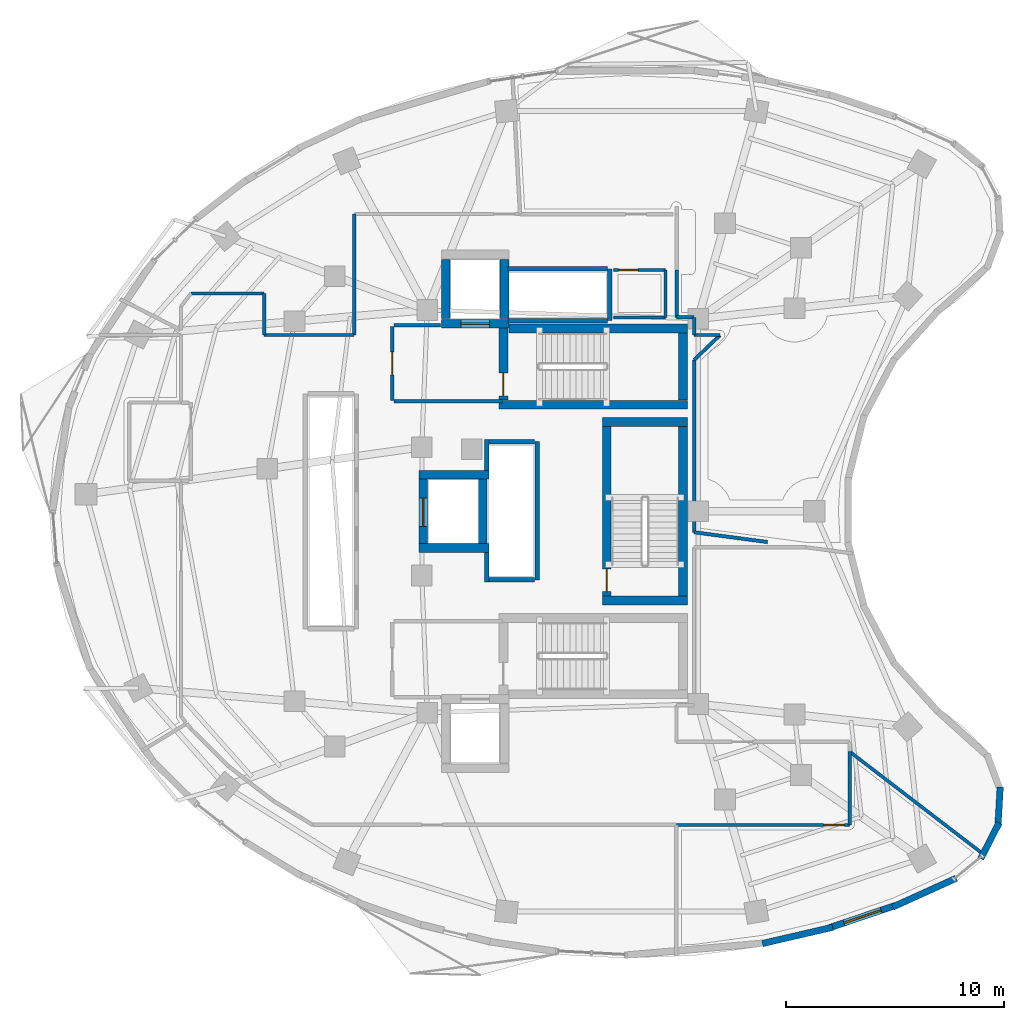
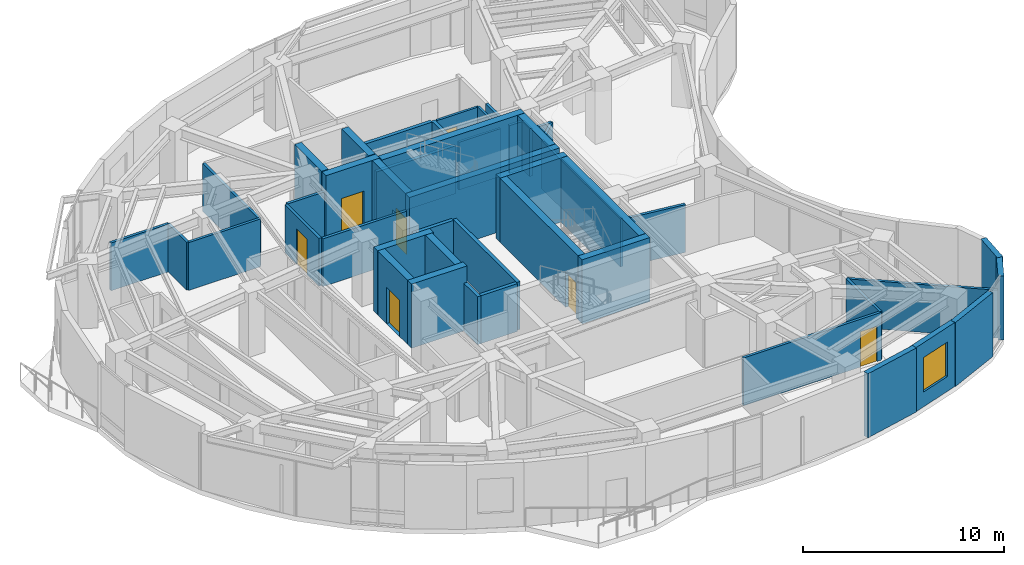
# One storey, part 8 of 12: 48 walls, 7 doors, 1 window, 8 openings.
"""IFC4 building model written with IfcOpenShell, lengths in metres."""

from ifc_helpers import new_model, si_unit, direction, frame, frame_2d, origin, place, context, subcontext, project, spatial, rectangle, extrude, material, layer, layer_set, type_object, element, fill, save


model = new_model("IFC4")

# Units and contexts
model_context = context("Model", 3, precision=1e-05, world=origin(), true_north=direction((0.0, 1.0)))
body_context = subcontext(model_context, "Body", "Model", "MODEL_VIEW")
ifc_project = project(units=[si_unit("LENGTHUNIT", "METRE"), si_unit("AREAUNIT", "SQUARE_METRE"), si_unit("VOLUMEUNIT", "CUBIC_METRE"), si_unit("PLANEANGLEUNIT", "RADIAN"), si_unit("MASSUNIT", "GRAM", prefix="KILO")], contexts=[model_context])

# Site, building, storey
site_placement = place(None, origin())
site = spatial("IfcSite", under=ifc_project, at=site_placement, CompositionType="ELEMENT")
building_placement = place(site_placement, origin())
building = spatial("IfcBuilding", under=site, at=building_placement, Name="Korentha Bioscience Tower", CompositionType="ELEMENT")
storey_placement = place(building_placement, frame((0.0, 0.0, 179.39990234375)))
storey = spatial("IfcBuildingStorey", under=building, at=storey_placement, Name="L41", CompositionType="ELEMENT", Elevation=179.39990234375)

# Wall, opening, door
ifc_material_1 = material(Name="Double-Stud Acoustic Gypsum", Category="gypsum")
ifc_layer_1 = layer(ifc_material_1, 0.14990234375, Name="Double-Stud Acoustic Gypsum")
ifc_layer_set_1 = layer_set([ifc_layer_1], Name="Double-Stud Acoustic Gypsum (IW-L150)")
wall_type_1 = type_object("IfcWallType", Name="Acoustic Laboratory Partition Wall 150", PredefinedType="PARTITIONING", material=ifc_layer_set_1)
wall_1_placement = place(storey_placement, frame((36.55810546875, 12.590087890625, 0.0), z_axis=(0.0, 0.0, 1.0), x_axis=(1.0, 0.0, 0.0)))
wall_1 = element("IfcWall", 1, at=wall_1_placement, inside=storey, type_object=wall_type_1, Name="L41 Biomechanical Motion Analysis Lab 03 Entrance Wall", PredefinedType="PARTITIONING", context=body_context, shape_type="SweptSolid", body=[
    extrude(rectangle(XDim=7.94189453125, YDim=0.14990234375, at=frame_2d((3.970947265625, 0.0))), origin(), (0.0, 0.0, 1.0), 2.91015625),
])
opening_1_placement = place(wall_1_placement, frame((6.751953125, 0.0, 0.0)))
opening_1 = element("IfcOpeningElement", 2, at=opening_1_placement, cuts=wall_1, Name="Opening ID-10R", PredefinedType="OPENING", context=body_context, shape_type="SweptSolid", body=[
    extrude(rectangle(XDim=0.949951171875, YDim=2.14990234375, at=frame_2d((0.47509765625, 1.074951171875))), frame((0.0, 0.08984375, 0.0), z_axis=(0.0, -1.0, 0.0), x_axis=(1.0, 0.0, 0.0)), (0.0, 0.0, 1.0), 0.1796875),
])
ifc_material_2 = material(Name="Phenolic Laminate Timber Core", Category="wood")
door_type_1 = type_object("IfcDoorType", Name="Laboratory Single Leaf Door 950x2150 Right", OperationType="SINGLE_SWING_RIGHT", PredefinedType="DOOR", material=ifc_material_2)
door_1_placement = place(opening_1_placement, origin())
door_1 = element("IfcDoor", 3, at=door_1_placement, inside=storey, type_object=door_type_1, Name="L41 Biomechanical Motion Analysis Lab 03 Door", OperationType="SINGLE_SWING_RIGHT", OverallHeight=2.14990234375, OverallWidth=0.949951171875, PredefinedType="DOOR", context=body_context, shape_type="SweptSolid", body=[
    extrude(rectangle(XDim=0.949951171875, YDim=2.14990234375, at=frame_2d((0.47509765625, 1.074951171875))), frame((0.0, 0.02490234375, 0.0), z_axis=(0.0, -1.0, 0.0), x_axis=(1.0, 0.0, 0.0)), (0.0, 0.0, 1.0), 0.050048828125),
])
fill(opening_1, door_1)

# Walls
wall_2_placement = place(storey_placement, frame((44.510009765625, 12.60009765625, 0.0), z_axis=(0.0, 0.0, 1.0), x_axis=(0.0, 1.0, 0.0)))
element("IfcWall", 4, at=wall_2_placement, inside=storey, type_object=wall_type_1, Name="L41 Interior Partition 025", PredefinedType="PARTITIONING", context=body_context, shape_type="SweptSolid", body=[
    extrude(rectangle(XDim=3.35595703125, YDim=0.14990234375, at=frame_2d((1.677978515625, 0.0))), origin(), (0.0, 0.0, 1.0), 2.91015625),
])
wall_3_placement = place(storey_placement, frame((44.510009765625, 15.9560546875, 0.0), z_axis=(0.0, 0.0, 1.0), x_axis=(0.793353363714, -0.608761398484, 0.0)))
element("IfcWall", 5, at=wall_3_placement, inside=storey, type_object=wall_type_1, Name="L41 Interior Partition 026", PredefinedType="PARTITIONING", context=body_context, shape_type="SweptSolid", body=[
    extrude(rectangle(XDim=7.845703125, YDim=0.14990234375, at=frame_2d((3.9228515625, 0.0))), origin(), (0.0, 0.0, 1.0), 2.91015625),
])
wall_4_placement = place(storey_placement, frame((21.739990234375, 40.64990234375, 0.0), z_axis=(0.0, 0.0, 1.0), x_axis=(0.0, -1.0, 0.0)))
element("IfcWall", 6, at=wall_4_placement, inside=storey, type_object=wall_type_1, Name="L41 Interior Partition 045", PredefinedType="PARTITIONING", context=body_context, shape_type="SweptSolid", body=[
    extrude(rectangle(XDim=5.5478515625, YDim=0.14990234375, at=frame_2d((2.77392578125, 0.0))), origin(), (0.0, 0.0, 1.0), 2.91015625),
])
wall_5_placement = place(storey_placement, frame((21.739990234375, 35.10205078125, 0.0), z_axis=(0.0, 0.0, 1.0), x_axis=(-1.0, 0.0, 0.0)))
element("IfcWall", 7, at=wall_5_placement, inside=storey, type_object=wall_type_1, Name="L41 Interior Partition 046", PredefinedType="PARTITIONING", context=body_context, shape_type="SweptSolid", body=[
    extrude(rectangle(XDim=4.1298828125, YDim=0.14990234375, at=frame_2d((2.06494140625, 0.0))), origin(), (0.0, 0.0, 1.0), 2.91015625),
])
wall_6_placement = place(storey_placement, frame((17.610107421875, 35.10205078125, 0.0), z_axis=(0.0, 0.0, 1.0), x_axis=(0.0, 1.0, 0.0)))
element("IfcWall", 8, at=wall_6_placement, inside=storey, type_object=wall_type_1, Name="L41 Interior Partition 047", PredefinedType="PARTITIONING", context=body_context, shape_type="SweptSolid", body=[
    extrude(rectangle(XDim=1.89794921875, YDim=0.14990234375, at=frame_2d((0.948974609375, 0.0))), origin(), (0.0, 0.0, 1.0), 2.91015625),
])
wall_7_placement = place(storey_placement, frame((17.60009765625, 37.010009765625, 0.0), z_axis=(0.0, 0.0, 1.0), x_axis=(-1.0, 0.0, 0.0)))
element("IfcWall", 9, at=wall_7_placement, inside=storey, type_object=wall_type_1, Name="L41 Interior Partition 048", PredefinedType="PARTITIONING", context=body_context, shape_type="SweptSolid", body=[
    extrude(rectangle(XDim=3.3447265625, YDim=0.14990234375, at=frame_2d((1.67236328125, 0.0))), origin(), (0.0, 0.0, 1.0), 2.91015625),
])

# Wall, opening, door
ifc_material_3 = material(Name="Gypsum-Clad Steel Stud", Category="steel")
ifc_layer_2 = layer(ifc_material_3, 0.159912109375, Name="Gypsum-Clad Steel Stud")
ifc_layer_set_2 = layer_set([ifc_layer_2], Name="Gypsum-Clad Steel Stud (IW-C160)")
wall_type_2 = type_object("IfcWallType", Name="Fire-Rated Corridor Partition Wall 160", PredefinedType="PARTITIONING", material=ifc_layer_set_2)
wall_8_placement = place(storey_placement, frame((23.5, 32.10009765625, 0.0), z_axis=(0.0, 0.0, 1.0), x_axis=(0.0, 1.0, 0.0)))
wall_8 = element("IfcWall", 10, at=wall_8_placement, inside=storey, type_object=wall_type_2, Name="L41 FFLN-CW Rated Enclosure Wall", PredefinedType="PARTITIONING", context=body_context, shape_type="SweptSolid", body=[
    extrude(rectangle(XDim=3.39990234375, YDim=0.159912109375, at=frame_2d((1.699951171875, 0.0))), origin(), (0.0, 0.0, 1.0), 2.91015625),
])
opening_2_placement = place(wall_8_placement, frame((1.175048828125, 0.0, 0.0)))
opening_2 = element("IfcOpeningElement", 11, at=opening_2_placement, cuts=wall_8, Name="Opening FD-90R", PredefinedType="OPENING", context=body_context, shape_type="SweptSolid", body=[
    extrude(rectangle(XDim=1.050048828125, YDim=2.14990234375, at=frame_2d((0.52490234375, 1.074951171875))), frame((0.0, 0.0947265625, 0.0), z_axis=(0.0, -1.0, 0.0), x_axis=(1.0, 0.0, 0.0)), (0.0, 0.0, 1.0), 0.189697265625),
])
ifc_material_4 = material(Name="Powder-Coated Fire-Rated Steel", Category="steel")
door_type_2 = type_object("IfcDoorType", Name="Stairwell Fire Exit Door 1050x2150 Right", OperationType="SINGLE_SWING_RIGHT", PredefinedType="DOOR", material=ifc_material_4)
door_2_placement = place(opening_2_placement, origin())
door_2 = element("IfcDoor", 12, at=door_2_placement, inside=storey, type_object=door_type_2, Name="L41 North Firefighting Lobby Door", OperationType="SINGLE_SWING_RIGHT", OverallHeight=2.14990234375, OverallWidth=1.050048828125, PredefinedType="DOOR", context=body_context, shape_type="SweptSolid", body=[
    extrude(rectangle(XDim=1.050048828125, YDim=2.14990234375, at=frame_2d((0.52490234375, 1.074951171875))), frame((0.0, 0.02490234375, 0.0), z_axis=(0.0, -1.0, 0.0), x_axis=(1.0, 0.0, 0.0)), (0.0, 0.0, 1.0), 0.050048828125),
])
fill(opening_2, door_2)

# Walls
wall_9_placement = place(storey_placement, frame((23.580078125, 32.050048828125, 0.0), z_axis=(0.0, 0.0, 1.0), x_axis=(1.0, 0.0, 0.0)))
element("IfcWall", 13, at=wall_9_placement, inside=storey, type_object=wall_type_2, Name="L41 Firefighting Lobby Return Wall FFLN-S", PredefinedType="PARTITIONING", context=body_context, shape_type="SweptSolid", body=[
    extrude(rectangle(XDim=4.969970703125, YDim=0.159912109375, at=frame_2d((2.48486328125, 0.0))), origin(), (0.0, 0.0, 1.0), 2.91015625),
])
wall_10_placement = place(storey_placement, frame((23.580078125, 35.550048828125, 0.0), z_axis=(0.0, 0.0, 1.0), x_axis=(1.0, 0.0, 0.0)))
element("IfcWall", 14, at=wall_10_placement, inside=storey, type_object=wall_type_2, Name="L41 Firefighting Lobby Return Wall FFLN-N", PredefinedType="PARTITIONING", context=body_context, shape_type="SweptSolid", body=[
    extrude(rectangle(XDim=2.119873046875, YDim=0.159912109375, at=frame_2d((1.06005859375, 0.0))), origin(), (0.0, 0.0, 1.0), 2.91015625),
])
wall_11_placement = place(storey_placement, frame((40.73828125, 25.587890625, 0.0), z_axis=(0.0, 0.0, 1.0), x_axis=(-0.9912460353, 0.13202763916, 0.0)))
element("IfcWall", 15, at=wall_11_placement, inside=storey, type_object=wall_type_2, Name="L41 Interior Partition 033", PredefinedType="PARTITIONING", context=body_context, shape_type="SweptSolid", body=[
    extrude(rectangle(XDim=3.407958984375, YDim=0.159912109375, at=frame_2d((1.7041015625, 0.0))), origin(), (0.0, 0.0, 1.0), 2.91015625),
])
wall_12_placement = place(storey_placement, frame((37.360107421875, 26.037841796875, 0.0), z_axis=(0.0, 0.0, 1.0), x_axis=(0.0, 1.0, 0.0)))
element("IfcWall", 16, at=wall_12_placement, inside=storey, type_object=wall_type_2, Name="L41 Interior Partition 034", PredefinedType="PARTITIONING", context=body_context, shape_type="SweptSolid", body=[
    extrude(rectangle(XDim=7.912353515625, YDim=0.159912109375, at=frame_2d((3.9560546875, 0.0))), origin(), (0.0, 0.0, 1.0), 2.91015625),
])
wall_13_placement = place(storey_placement, frame((37.360107421875, 33.9501953125, 0.0), z_axis=(0.0, 0.0, 1.0), x_axis=(0.721216110358, 0.692710128524, 0.0)))
element("IfcWall", 17, at=wall_13_placement, inside=storey, type_object=wall_type_2, Name="L41 Interior Partition 035", PredefinedType="PARTITIONING", context=body_context, shape_type="SweptSolid", body=[
    extrude(rectangle(XDim=1.653076171875, YDim=0.159912109375, at=frame_2d((0.82666015625, 0.0))), origin(), (0.0, 0.0, 1.0), 2.91015625),
])
wall_14_placement = place(storey_placement, frame((38.54931640625, 35.10205078125, 0.0), z_axis=(0.0, 0.0, 1.0), x_axis=(-1.0, 0.0, 0.0)))
element("IfcWall", 18, at=wall_14_placement, inside=storey, type_object=wall_type_2, Name="L41 Interior Partition 036", PredefinedType="PARTITIONING", context=body_context, shape_type="SweptSolid", body=[
    extrude(rectangle(XDim=1.189208984375, YDim=0.159912109375, at=frame_2d((0.5947265625, 0.0))), origin(), (0.0, 0.0, 1.0), 2.91015625),
])
wall_15_placement = place(storey_placement, frame((37.360107421875, 35.10205078125, 0.0), z_axis=(0.0, 0.0, 1.0), x_axis=(0.0, 1.0, 0.0)))
element("IfcWall", 19, at=wall_15_placement, inside=storey, type_object=wall_type_2, Name="L41 Interior Partition 037", PredefinedType="PARTITIONING", context=body_context, shape_type="SweptSolid", body=[
    extrude(rectangle(XDim=0.7978515625, YDim=0.159912109375, at=frame_2d((0.39892578125, 0.0))), origin(), (0.0, 0.0, 1.0), 2.91015625),
])
wall_16_placement = place(storey_placement, frame((37.35009765625, 35.909912109375, 0.0), z_axis=(0.0, 0.0, 1.0), x_axis=(-1.0, 0.0, 0.0)))
element("IfcWall", 20, at=wall_16_placement, inside=storey, type_object=wall_type_2, Name="L41 Interior Partition 038", PredefinedType="PARTITIONING", context=body_context, shape_type="SweptSolid", body=[
    extrude(rectangle(XDim=0.798095703125, YDim=0.159912109375, at=frame_2d((0.39892578125, 0.0))), origin(), (0.0, 0.0, 1.0), 2.91015625),
])
wall_17_placement = place(storey_placement, frame((36.552001953125, 35.909912109375, 0.0), z_axis=(0.0, 0.0, 1.0), x_axis=(0.0, 1.0, 0.0)))
element("IfcWall", 21, at=wall_17_placement, inside=storey, type_object=wall_type_2, Name="L41 Interior Partition 039", PredefinedType="PARTITIONING", context=body_context, shape_type="SweptSolid", body=[
    extrude(rectangle(XDim=2.18017578125, YDim=0.159912109375, at=frame_2d((1.090087890625, 0.0))), origin(), (0.0, 0.0, 1.0), 2.91015625),
])

# Wall, opening, window
ifc_material_5 = material(Name="Honed Limestone Precast Concrete C40", Category="masonry")
ifc_layer_3 = layer(ifc_material_5, 0.300048828125, Name="Honed Limestone Precast Concrete C40")
ifc_layer_set_3 = layer_set([ifc_layer_3], Name="Honed Limestone Precast Concrete C40 (EW-ST300)")
wall_type_3 = type_object("IfcWallType", Name="Honed Limestone Cavity Spandrel Wall 300", PredefinedType="STANDARD", material=ifc_layer_set_3)
wall_18_placement = place(storey_placement, frame((43.5732421875, 7.865966796875, 0.0), z_axis=(0.0, 0.0, 1.0), x_axis=(0.947663163736, 0.319271871761, 0.0)))
wall_18 = element("IfcWall", 22, at=wall_18_placement, inside=storey, type_object=wall_type_3, Name="L41 Honed Limestone Spandrel Wall 35", PredefinedType="STANDARD", context=body_context, shape_type="SweptSolid", body=[
    extrude(rectangle(XDim=3.222412109375, YDim=0.300048828125, at=frame_2d((1.611328125, 0.0))), origin(), (0.0, 0.0, 1.0), 3.900146484375),
])
opening_3_placement = place(wall_18_placement, frame((0.711181640625, 0.0, 0.89990234375)))
opening_3 = element("IfcOpeningElement", 23, at=opening_3_placement, cuts=wall_18, Name="Opening WN-01", PredefinedType="OPENING", context=body_context, shape_type="SweptSolid", body=[
    extrude(rectangle(XDim=1.800048828125, YDim=2.10009765625, at=frame_2d((0.89990234375, 1.050048828125))), frame((0.0, 0.1650390625, 0.0), z_axis=(0.0, -1.0, 0.0), x_axis=(1.0, 0.0, 0.0)), (0.0, 0.0, 1.0), 0.329833984375),
])
ifc_material_6 = material(Name="Thermally Broken Aluminium Triple Glazing", Category="aluminium")
window_type = type_object("IfcWindowType", Name="Triple-Glazed Fixed Bioscience Window 1800x2100", PartitioningType="SINGLE_PANEL", PredefinedType="WINDOW", material=ifc_material_6)
window_placement = place(opening_3_placement, origin())
window = element("IfcWindow", 24, at=window_placement, inside=storey, type_object=window_type, Name="L41 Facade Window 35", OverallHeight=2.10009765625, OverallWidth=1.800048828125, PartitioningType="SINGLE_PANEL", PredefinedType="WINDOW", context=body_context, shape_type="SweptSolid", body=[
    extrude(rectangle(XDim=1.800048828125, YDim=2.10009765625, at=frame_2d((0.89990234375, 1.050048828125))), frame((0.0, 0.030029296875, 0.0), z_axis=(0.0, -1.0, 0.0), x_axis=(1.0, 0.0, 0.0)), (0.0, 0.0, 1.0), 0.06005859375),
])
fill(opening_3, window)

# Walls
wall_19_placement = place(storey_placement, frame((40.498779296875, 7.1396484375, 0.0), z_axis=(0.0, 0.0, 1.0), x_axis=(0.974179712493, 0.225773974956, 0.0)))
element("IfcWall", 25, at=wall_19_placement, inside=storey, type_object=wall_type_3, Name="L41 Limestone Perimeter Closure Wall 34", PredefinedType="STANDARD", context=body_context, shape_type="SweptSolid", body=[
    extrude(rectangle(XDim=3.314453125, YDim=0.300048828125, at=frame_2d((1.6572265625, 0.0))), origin(), (0.0, 0.0, 1.0), 3.900146484375),
])
wall_20_placement = place(storey_placement, frame((46.490478515625, 8.818359375, 0.0), z_axis=(0.0, 0.0, 1.0), x_axis=(0.910633193525, 0.413215666268, 0.0)))
element("IfcWall", 26, at=wall_20_placement, inside=storey, type_object=wall_type_3, Name="L41 Limestone Perimeter Closure Wall 36", PredefinedType="STANDARD", context=body_context, shape_type="SweptSolid", body=[
    extrude(rectangle(XDim=3.1953125, YDim=0.300048828125, at=frame_2d((1.59765625, 0.0))), origin(), (0.0, 0.0, 1.0), 3.900146484375),
])
for number, where, z_axis, x_axis, name in (
    (27, (50.533935546875, 11.041259765625, 0.0), (0.0, 0.0, 1.0), (0.454214122486, 0.890892547356, 0.0), "L41 Limestone Perimeter Closure Wall 38"),
    (28, (51.319091796875, 12.484375, 0.0), (0.0, 0.0, 1.0), (0.057485341891, 0.998346350455, 0.0), "L41 Limestone Perimeter Closure Wall 39"),
):
    element("IfcWall", number, at=place(storey_placement, frame(where, z_axis=z_axis, x_axis=x_axis)), inside=storey, type_object=wall_type_3, Name=name, PredefinedType="STANDARD", context=body_context, shape_type="SweptSolid", body=[
        extrude(rectangle(XDim=1.851806640625, YDim=0.300048828125, at=frame_2d((0.92578125, 0.0))), origin(), (0.0, 0.0, 1.0), 3.900146484375),
    ])
ifc_material_7 = material(Name="Autoclaved Aerated Concrete Block C25", Category="concrete")
ifc_layer_4 = layer(ifc_material_7, 0.199951171875, Name="Autoclaved Aerated Concrete Block C25")
ifc_layer_set_4 = layer_set([ifc_layer_4], Name="Autoclaved Aerated Concrete Block C25 (IW-S200)")
wall_type_4 = type_object("IfcWallType", Name="Lift and Riser Shaft Enclosure Wall 200", PredefinedType="PARTITIONING", material=ifc_layer_set_4)
wall_21_placement = place(storey_placement, frame((27.830078125, 23.75, 0.0), z_axis=(0.0, 0.0, 1.0), x_axis=(0.0, 1.0, 0.0)))
element("IfcWall", 29, at=wall_21_placement, inside=storey, type_object=wall_type_4, Name="L41 Lift Bank HIGH Shaft Wall -XS", PredefinedType="PARTITIONING", context=body_context, shape_type="SweptSolid", body=[
    extrude(rectangle(XDim=1.365966796875, YDim=0.199951171875, at=frame_2d((0.68310546875, 0.0))), origin(), (0.0, 0.0, 1.0), 2.91015625),
])
wall_22_placement = place(storey_placement, frame((27.830078125, 28.884033203125, 0.0), z_axis=(0.0, 0.0, 1.0), x_axis=(0.0, 1.0, 0.0)))
element("IfcWall", 30, at=wall_22_placement, inside=storey, type_object=wall_type_4, Name="L41 Lift Bank HIGH Shaft Wall -XN", PredefinedType="PARTITIONING", context=body_context, shape_type="SweptSolid", body=[
    extrude(rectangle(XDim=1.416015625, YDim=0.199951171875, at=frame_2d((0.7080078125, 0.0))), origin(), (0.0, 0.0, 1.0), 2.91015625),
])
wall_23_placement = place(storey_placement, frame((30.14990234375, 23.85009765625, 0.0), z_axis=(0.0, 0.0, 1.0), x_axis=(0.0, 1.0, 0.0)))
element("IfcWall", 31, at=wall_23_placement, inside=storey, type_object=wall_type_4, Name="L41 Lift Bank HIGH Shaft Wall +X", PredefinedType="PARTITIONING", context=body_context, shape_type="SweptSolid", body=[
    extrude(rectangle(XDim=6.349853515625, YDim=0.199951171875, at=frame_2d((3.1748046875, 0.0))), origin(), (0.0, 0.0, 1.0), 2.91015625),
])
for number, where, z_axis, x_axis, name in (
    (32, (27.93408203125, 23.85009765625, 0.0), (0.0, 0.0, 1.0), (1.0, 0.0, 0.0), "L41 Lift Bank HIGH Shaft Wall -Y"),
    (33, (27.93408203125, 30.199951171875, 0.0), (0.0, 0.0, 1.0), (1.0, 0.0, 0.0), "L41 Lift Bank HIGH Shaft Wall +Y"),
):
    element("IfcWall", number, at=place(storey_placement, frame(where, z_axis=z_axis, x_axis=x_axis)), inside=storey, type_object=wall_type_4, Name=name, PredefinedType="PARTITIONING", context=body_context, shape_type="SweptSolid", body=[
        extrude(rectangle(XDim=2.095947265625, YDim=0.199951171875, at=frame_2d((1.0478515625, 0.0))), origin(), (0.0, 0.0, 1.0), 2.91015625),
    ])
wall_24_placement = place(storey_placement, frame((33.489990234375, 35.760009765625, 0.0), z_axis=(0.0, 0.0, 1.0), x_axis=(0.0, 1.0, 0.0)))
element("IfcWall", 34, at=wall_24_placement, inside=storey, type_object=wall_type_4, Name="L41 Lift Bank OBS Shaft Wall +X", PredefinedType="PARTITIONING", context=body_context, shape_type="SweptSolid", body=[
    extrude(rectangle(XDim=2.3798828125, YDim=0.199951171875, at=frame_2d((1.18994140625, 0.0))), origin(), (0.0, 0.0, 1.0), 2.91015625),
])
for number, where, z_axis, x_axis, name in (
    (35, (28.800048828125, 35.760009765625, 0.0), (0.0, 0.0, 1.0), (1.0, 0.0, 0.0), "L41 Lift Bank OBS Shaft Wall -Y"),
    (36, (28.800048828125, 38.139892578125, 0.0), (0.0, 0.0, 1.0), (1.0, 0.0, 0.0), "L41 Lift Bank OBS Shaft Wall +Y"),
):
    element("IfcWall", number, at=place(storey_placement, frame(where, z_axis=z_axis, x_axis=x_axis)), inside=storey, type_object=wall_type_4, Name=name, PredefinedType="PARTITIONING", context=body_context, shape_type="SweptSolid", body=[
        extrude(rectangle(XDim=4.570068359375, YDim=0.199951171875, at=frame_2d((2.28515625, 0.0))), origin(), (0.0, 0.0, 1.0), 2.91015625),
    ])
ifc_material_8 = material(Name="Concrete C65", Category="concrete")
ifc_layer_5 = layer(ifc_material_8, 0.39990234375, Name="Concrete C65")
ifc_layer_set_5 = layer_set([ifc_layer_5], Name="Concrete C65 (CW-C65)")
wall_type_5 = type_object("IfcWallType", Name="Mid-Rise Core Shear Wall 400", PredefinedType="SHEAR", material=ifc_layer_set_5)
wall_25_placement = place(storey_placement, frame((28.85205078125, 35.39990234375, 0.0), z_axis=(0.0, 0.0, 1.0), x_axis=(1.0, 0.0, 0.0)))
element("IfcWall", 37, at=wall_25_placement, inside=storey, type_object=wall_type_5, Name="L41 Core Shear Wall ST1-N", PredefinedType="SHEAR", context=body_context, shape_type="SweptSolid", body=[
    extrude(rectangle(XDim=8.197998046875, YDim=0.39990234375, at=frame_2d((4.09912109375, 0.0))), origin(), (0.0, 0.0, 1.0), 3.900146484375),
])
wall_26_placement = place(storey_placement, frame((28.39990234375, 31.89990234375, 0.0), z_axis=(0.0, 0.0, 1.0), x_axis=(1.0, 0.0, 0.0)))
element("IfcWall", 38, at=wall_26_placement, inside=storey, type_object=wall_type_5, Name="L41 Core Shear Wall ST1-S", PredefinedType="SHEAR", context=body_context, shape_type="SweptSolid", body=[
    extrude(rectangle(XDim=8.650146484375, YDim=0.39990234375, at=frame_2d((4.3251953125, 0.0))), origin(), (0.0, 0.0, 1.0), 3.900146484375),
])
wall_27_placement = place(storey_placement, frame((36.85009765625, 32.110107421875, 0.0), z_axis=(0.0, 0.0, 1.0), x_axis=(0.0, 1.0, 0.0)))
element("IfcWall", 39, at=wall_27_placement, inside=storey, type_object=wall_type_5, Name="L41 Core Shear Wall ST1-E", PredefinedType="SHEAR", context=body_context, shape_type="SweptSolid", body=[
    extrude(rectangle(XDim=3.079833984375, YDim=0.39990234375, at=frame_2d((1.5400390625, 0.0))), origin(), (0.0, 0.0, 1.0), 3.900146484375),
])

# Wall, opening, door
wall_28_placement = place(storey_placement, frame((28.60009765625, 32.110107421875, 0.0), z_axis=(0.0, 0.0, 1.0), x_axis=(0.0, 1.0, 0.0)))
wall_28 = element("IfcWall", 40, at=wall_28_placement, inside=storey, type_object=wall_type_5, Name="L41 Core Shear Wall ST1-W", PredefinedType="SHEAR", context=body_context, shape_type="SweptSolid", body=[
    extrude(rectangle(XDim=3.307861328125, YDim=0.39990234375, at=frame_2d((1.65380859375, 0.0))), origin(), (0.0, 0.0, 1.0), 3.900146484375),
])
opening_4_placement = place(wall_28_placement, frame((0.199951171875, 0.0, 0.0)))
opening_4 = element("IfcOpeningElement", 41, at=opening_4_placement, cuts=wall_28, Name="Opening FD-90R", PredefinedType="OPENING", context=body_context, shape_type="SweptSolid", body=[
    extrude(rectangle(XDim=1.050048828125, YDim=2.14990234375, at=frame_2d((0.52490234375, 1.074951171875))), frame((0.0, 0.21484375, 0.0), z_axis=(0.0, -1.0, 0.0), x_axis=(1.0, 0.0, 0.0)), (0.0, 0.0, 1.0), 0.4296875),
])
door_3_placement = place(opening_4_placement, origin())
door_3 = element("IfcDoor", 42, at=door_3_placement, inside=storey, type_object=door_type_2, Name="L41 ST-1 Fire Exit Stair Door", OperationType="SINGLE_SWING_RIGHT", OverallHeight=2.14990234375, OverallWidth=1.050048828125, PredefinedType="DOOR", context=body_context, shape_type="SweptSolid", body=[
    extrude(rectangle(XDim=1.050048828125, YDim=2.14990234375, at=frame_2d((0.52490234375, 1.074951171875))), frame((0.0, 0.02490234375, 0.0), z_axis=(0.0, -1.0, 0.0), x_axis=(1.0, 0.0, 0.0)), (0.0, 0.0, 1.0), 0.050048828125),
])
fill(opening_4, door_3)

# Walls
for number, where, z_axis, x_axis, name in (
    (43, (33.14990234375, 31.10009765625, 0.0), (0.0, 0.0, 1.0), (1.0, 0.0, 0.0), "L41 Core Shear Wall ST3-N"),
    (44, (33.14990234375, 22.89990234375, 0.0), (0.0, 0.0, 1.0), (1.0, 0.0, 0.0), "L41 Core Shear Wall ST3-S"),
):
    element("IfcWall", number, at=place(storey_placement, frame(where, z_axis=z_axis, x_axis=x_axis)), inside=storey, type_object=wall_type_5, Name=name, PredefinedType="SHEAR", context=body_context, shape_type="SweptSolid", body=[
        extrude(rectangle(XDim=3.900146484375, YDim=0.39990234375, at=frame_2d((1.9501953125, 0.0))), origin(), (0.0, 0.0, 1.0), 3.900146484375),
    ])
wall_29_placement = place(storey_placement, frame((36.85009765625, 23.110107421875, 0.0), z_axis=(0.0, 0.0, 1.0), x_axis=(0.0, 1.0, 0.0)))
element("IfcWall", 45, at=wall_29_placement, inside=storey, type_object=wall_type_5, Name="L41 Core Shear Wall ST3-E", PredefinedType="SHEAR", context=body_context, shape_type="SweptSolid", body=[
    extrude(rectangle(XDim=7.77978515625, YDim=0.39990234375, at=frame_2d((3.889892578125, 0.0))), origin(), (0.0, 0.0, 1.0), 3.900146484375),
])

# Wall, opening, door
wall_30_placement = place(storey_placement, frame((33.35009765625, 23.110107421875, 0.0), z_axis=(0.0, 0.0, 1.0), x_axis=(0.0, 1.0, 0.0)))
wall_30 = element("IfcWall", 46, at=wall_30_placement, inside=storey, type_object=wall_type_5, Name="L41 Core Shear Wall ST3-W", PredefinedType="SHEAR", context=body_context, shape_type="SweptSolid", body=[
    extrude(rectangle(XDim=7.77978515625, YDim=0.39990234375, at=frame_2d((3.889892578125, 0.0))), origin(), (0.0, 0.0, 1.0), 3.900146484375),
])
opening_5_placement = place(wall_30_placement, frame((0.199951171875, 0.0, 0.0)))
opening_5 = element("IfcOpeningElement", 47, at=opening_5_placement, cuts=wall_30, Name="Opening FD-90R", PredefinedType="OPENING", context=body_context, shape_type="SweptSolid", body=[
    extrude(rectangle(XDim=1.050048828125, YDim=2.14990234375, at=frame_2d((0.52490234375, 1.074951171875))), frame((0.0, 0.21484375, 0.0), z_axis=(0.0, -1.0, 0.0), x_axis=(1.0, 0.0, 0.0)), (0.0, 0.0, 1.0), 0.4296875),
])
door_4_placement = place(opening_5_placement, origin())
door_4 = element("IfcDoor", 48, at=door_4_placement, inside=storey, type_object=door_type_2, Name="L41 ST-3 Fire Exit Stair Door", OperationType="SINGLE_SWING_RIGHT", OverallHeight=2.14990234375, OverallWidth=1.050048828125, PredefinedType="DOOR", context=body_context, shape_type="SweptSolid", body=[
    extrude(rectangle(XDim=1.050048828125, YDim=2.14990234375, at=frame_2d((0.52490234375, 1.074951171875))), frame((0.0, 0.02490234375, 0.0), z_axis=(0.0, -1.0, 0.0), x_axis=(1.0, 0.0, 0.0)), (0.0, 0.0, 1.0), 0.050048828125),
])
fill(opening_5, door_4)

wall_31_placement = place(storey_placement, frame((25.75, 35.6201171875, 0.0), z_axis=(0.0, 0.0, 1.0), x_axis=(1.0, 0.0, 0.0)))
wall_31 = element("IfcWall", 49, at=wall_31_placement, inside=storey, type_object=wall_type_5, Name="L41 Core Shear Wall FFL2-S", PredefinedType="SHEAR", context=body_context, shape_type="SweptSolid", body=[
    extrude(rectangle(XDim=3.10009765625, YDim=0.39990234375, at=frame_2d((1.550048828125, 0.0))), origin(), (0.0, 0.0, 1.0), 3.900146484375),
])
opening_6_placement = place(wall_31_placement, frame((0.89990234375, 0.0, 0.0)))
opening_6 = element("IfcOpeningElement", 50, at=opening_6_placement, cuts=wall_31, Name="Opening LD-13", PredefinedType="OPENING", context=body_context, shape_type="SweptSolid", body=[
    extrude(rectangle(XDim=1.300048828125, YDim=2.199951171875, at=frame_2d((0.64990234375, 1.10009765625))), frame((0.0, 0.21484375, 0.0), z_axis=(0.0, -1.0, 0.0), x_axis=(1.0, 0.0, 0.0)), (0.0, 0.0, 1.0), 0.4296875),
])
ifc_material_9 = material(Name="Brushed Stainless Steel 316", Category="steel")
door_type_3 = type_object("IfcDoorType", Name="Service & Firefighting Lift Landing Door 1300x2300", OperationType="DOUBLE_DOOR_SLIDING", PredefinedType="DOOR", material=ifc_material_9)
door_5_placement = place(opening_6_placement, origin())
door_5 = element("IfcDoor", 51, at=door_5_placement, inside=storey, type_object=door_type_3, Name="L41 FFL-2 Sliding Lift Landing Door", OperationType="DOUBLE_DOOR_SLIDING", OverallHeight=2.199951171875, OverallWidth=1.300048828125, PredefinedType="DOOR", context=body_context, shape_type="SweptSolid", body=[
    extrude(rectangle(XDim=1.300048828125, YDim=2.199951171875, at=frame_2d((0.64990234375, 1.10009765625))), frame((0.0, 0.02490234375, 0.0), z_axis=(0.0, -1.0, 0.0), x_axis=(1.0, 0.0, 0.0)), (0.0, 0.0, 1.0), 0.050048828125),
])
fill(opening_6, door_5)

# Walls
for number, where, z_axis, x_axis, name in (
    (52, (25.949951171875, 35.860107421875, 0.0), (0.0, 0.0, 1.0), (0.0, 1.0, 0.0), "L41 Core Shear Wall FFL2-W"),
    (53, (28.64990234375, 35.860107421875, 0.0), (0.0, 0.0, 1.0), (0.0, 1.0, 0.0), "L41 Core Shear Wall FFL2-E"),
):
    element("IfcWall", number, at=place(storey_placement, frame(where, z_axis=z_axis, x_axis=x_axis)), inside=storey, type_object=wall_type_5, Name=name, PredefinedType="SHEAR", context=body_context, shape_type="SweptSolid", body=[
        extrude(rectangle(XDim=2.699951171875, YDim=0.39990234375, at=frame_2d((1.35009765625, 0.0))), origin(), (0.0, 0.0, 1.0), 3.900146484375),
    ])
for number, where, z_axis, x_axis, name in (
    (54, (24.719970703125, 28.679931640625, 0.0), (0.0, 0.0, 1.0), (1.0, 0.0, 0.0), "L41 Core Shear Wall SVL1-N"),
    (55, (24.719970703125, 25.320068359375, 0.0), (0.0, 0.0, 1.0), (1.0, 0.0, 0.0), "L41 Core Shear Wall SVL1-S"),
):
    element("IfcWall", number, at=place(storey_placement, frame(where, z_axis=z_axis, x_axis=x_axis)), inside=storey, type_object=wall_type_5, Name=name, PredefinedType="SHEAR", context=body_context, shape_type="SweptSolid", body=[
        extrude(rectangle(XDim=3.2099609375, YDim=0.39990234375, at=frame_2d((1.60498046875, 0.0))), origin(), (0.0, 0.0, 1.0), 3.900146484375),
    ])

# Wall, opening, door
wall_32_placement = place(storey_placement, frame((24.919921875, 25.52197265625, 0.0), z_axis=(0.0, 0.0, 1.0), x_axis=(0.0, 1.0, 0.0)))
wall_32 = element("IfcWall", 56, at=wall_32_placement, inside=storey, type_object=wall_type_5, Name="L41 Core Shear Wall SVL1-W", PredefinedType="SHEAR", context=body_context, shape_type="SweptSolid", body=[
    extrude(rectangle(XDim=2.9560546875, YDim=0.39990234375, at=frame_2d((1.47802734375, 0.0))), origin(), (0.0, 0.0, 1.0), 3.900146484375),
])
opening_7_placement = place(wall_32_placement, frame((0.7900390625, 0.0, 0.0)))
opening_7 = element("IfcOpeningElement", 57, at=opening_7_placement, cuts=wall_32, Name="Opening LD-13", PredefinedType="OPENING", context=body_context, shape_type="SweptSolid", body=[
    extrude(rectangle(XDim=1.300048828125, YDim=2.199951171875, at=frame_2d((0.64990234375, 1.10009765625))), frame((0.0, 0.21484375, 0.0), z_axis=(0.0, -1.0, 0.0), x_axis=(1.0, 0.0, 0.0)), (0.0, 0.0, 1.0), 0.4296875),
])
door_6_placement = place(opening_7_placement, origin())
door_6 = element("IfcDoor", 58, at=door_6_placement, inside=storey, type_object=door_type_3, Name="L41 SVL-1 Sliding Lift Landing Door", OperationType="DOUBLE_DOOR_SLIDING", OverallHeight=2.199951171875, OverallWidth=1.300048828125, PredefinedType="DOOR", context=body_context, shape_type="SweptSolid", body=[
    extrude(rectangle(XDim=1.300048828125, YDim=2.199951171875, at=frame_2d((0.64990234375, 1.10009765625))), frame((0.0, 0.02490234375, 0.0), z_axis=(0.0, -1.0, 0.0), x_axis=(1.0, 0.0, 0.0)), (0.0, 0.0, 1.0), 0.050048828125),
])
fill(opening_7, door_6)

# Wall
wall_33_placement = place(storey_placement, frame((27.64990234375, 25.52197265625, 0.0), z_axis=(0.0, 0.0, 1.0), x_axis=(0.0, 1.0, 0.0)))
element("IfcWall", 59, at=wall_33_placement, inside=storey, type_object=wall_type_5, Name="L41 Core Shear Wall SVL1-E", PredefinedType="SHEAR", context=body_context, shape_type="SweptSolid", body=[
    extrude(rectangle(XDim=2.9560546875, YDim=0.39990234375, at=frame_2d((1.47802734375, 0.0))), origin(), (0.0, 0.0, 1.0), 3.900146484375),
])

# Wall, opening, door
ifc_material_10 = material(Name="Cement-Board Steel Stud", Category="steel")
ifc_layer_6 = layer(ifc_material_10, 0.1298828125, Name="Cement-Board Steel Stud")
ifc_layer_set_6 = layer_set([ifc_layer_6], Name="Cement-Board Steel Stud (IW-W130)")
wall_type_6 = type_object("IfcWallType", Name="Wet-Area Moisture-Resistant Partition 130", PredefinedType="PARTITIONING", material=ifc_layer_set_6)
wall_34_placement = place(storey_placement, frame((33.64990234375, 38.090087890625, 0.0), z_axis=(0.0, 0.0, 1.0), x_axis=(1.0, 0.0, 0.0)))
wall_34 = element("IfcWall", 60, at=wall_34_placement, inside=storey, type_object=wall_type_6, Name="L41 Accessible Staff WC Entrance Wall", PredefinedType="PARTITIONING", context=body_context, shape_type="SweptSolid", body=[
    extrude(rectangle(XDim=2.400146484375, YDim=0.1298828125, at=frame_2d((1.2001953125, 0.0))), origin(), (0.0, 0.0, 1.0), 2.91015625),
])
opening_8_placement = place(wall_34_placement, frame((0.239990234375, 0.0, 0.0)))
opening_8 = element("IfcOpeningElement", 61, at=opening_8_placement, cuts=wall_34, Name="Opening ID-09R", PredefinedType="OPENING", context=body_context, shape_type="SweptSolid", body=[
    extrude(rectangle(XDim=0.89990234375, YDim=2.14990234375, at=frame_2d((0.449951171875, 1.074951171875))), frame((0.0, 0.079833984375, 0.0), z_axis=(0.0, -1.0, 0.0), x_axis=(1.0, 0.0, 0.0)), (0.0, 0.0, 1.0), 0.15966796875),
])
ifc_material_11 = material(Name="Moisture-Resistant HPL Leaf", Category="wood")
door_type_4 = type_object("IfcDoorType", Name="Restroom & Accessible WC Door 900x2150 Right", OperationType="SINGLE_SWING_RIGHT", PredefinedType="DOOR", material=ifc_material_11)
door_7_placement = place(opening_8_placement, origin())
door_7 = element("IfcDoor", 62, at=door_7_placement, inside=storey, type_object=door_type_4, Name="L41 Accessible Staff WC Door", OperationType="SINGLE_SWING_RIGHT", OverallHeight=2.14990234375, OverallWidth=0.89990234375, PredefinedType="DOOR", context=body_context, shape_type="SweptSolid", body=[
    extrude(rectangle(XDim=0.89990234375, YDim=2.14990234375, at=frame_2d((0.449951171875, 1.074951171875))), frame((0.0, 0.02490234375, 0.0), z_axis=(0.0, -1.0, 0.0), x_axis=(1.0, 0.0, 0.0)), (0.0, 0.0, 1.0), 0.050048828125),
])
fill(opening_8, door_7)

# Walls
wall_35_placement = place(storey_placement, frame((36.050048828125, 35.909912109375, 0.0), z_axis=(0.0, 0.0, 1.0), x_axis=(-1.0, 0.0, 0.0)))
element("IfcWall", 63, at=wall_35_placement, inside=storey, type_object=wall_type_6, Name="L41 Interior Partition 009", PredefinedType="PARTITIONING", context=body_context, shape_type="SweptSolid", body=[
    extrude(rectangle(XDim=2.400146484375, YDim=0.1298828125, at=frame_2d((1.2001953125, 0.0))), origin(), (0.0, 0.0, 1.0), 2.91015625),
])
wall_36_placement = place(storey_placement, frame((36.050048828125, 38.090087890625, 0.0), z_axis=(0.0, 0.0, 1.0), x_axis=(0.0, -1.0, 0.0)))
element("IfcWall", 64, at=wall_36_placement, inside=storey, type_object=wall_type_6, Name="L41 Interior Partition 010", PredefinedType="PARTITIONING", context=body_context, shape_type="SweptSolid", body=[
    extrude(rectangle(XDim=2.18017578125, YDim=0.1298828125, at=frame_2d((1.090087890625, 0.0))), origin(), (0.0, 0.0, 1.0), 2.91015625),
])

save(model, "model.ifc")
